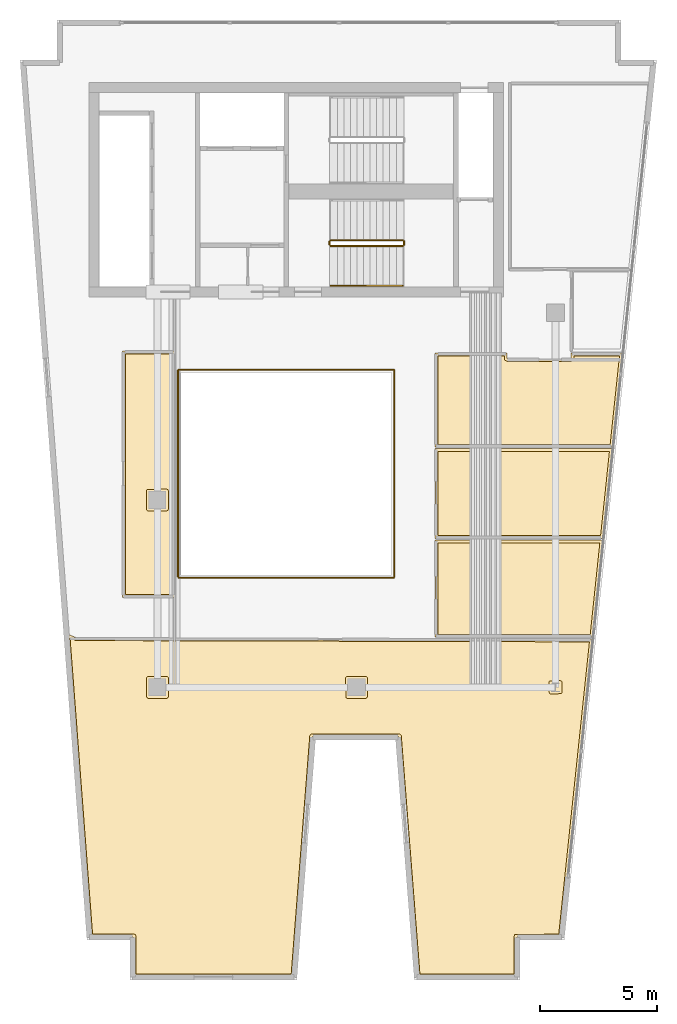
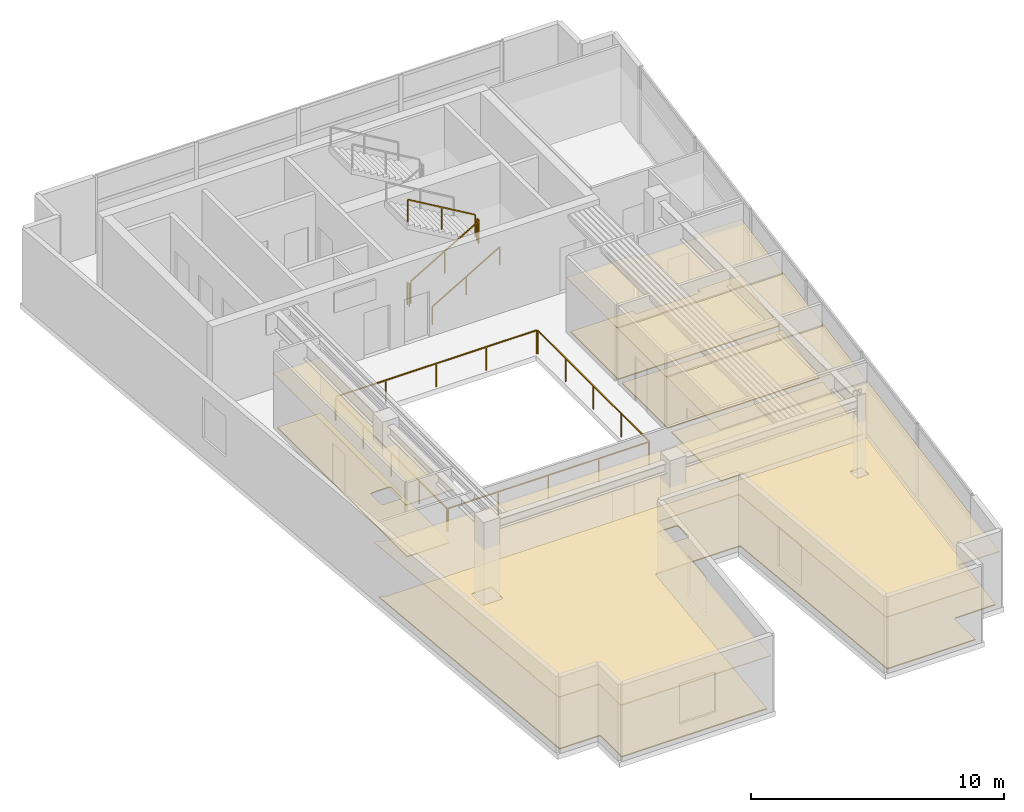
# One storey, part 5 of 6: 10 coverings, 9 railings.
"""IFC4 building model written with IfcOpenShell, lengths in metres."""

from ifc_helpers import new_model, si_unit, direction, frame, origin, origin_2d, place, context, subcontext, project, spatial, polyline, rectangle, outline, extrude, material, layer, layer_set, type_object, element, save


model = new_model("IFC4")

# Units and contexts
model_context = context("Model", 3, precision=1e-05, world=origin(), true_north=direction((0.0, 1.0)))
body_context = subcontext(model_context, "Body", "Model", "MODEL_VIEW")
ifc_project = project(units=[si_unit("LENGTHUNIT", "METRE"), si_unit("AREAUNIT", "SQUARE_METRE"), si_unit("VOLUMEUNIT", "CUBIC_METRE"), si_unit("PLANEANGLEUNIT", "RADIAN"), si_unit("MASSUNIT", "GRAM", prefix="KILO")], contexts=[model_context])

# Site, building, storey
site_placement = place(None, origin())
site = spatial("IfcSite", under=ifc_project, at=site_placement, CompositionType="ELEMENT")
building_placement = place(site_placement, origin())
building = spatial("IfcBuilding", under=site, at=building_placement, Name="Caeloran Harvest Quay", CompositionType="ELEMENT")
storey_placement = place(building_placement, frame((0.0, 0.0, 288.300048828125)))
storey = spatial("IfcBuildingStorey", under=building, at=storey_placement, Name="L69", CompositionType="ELEMENT", Elevation=288.300048828125)

# Coverings
ifc_material_1 = material(Name="Perforated Mineral-Fibre Acoustic Ceiling Tile", Category="ceiling")
ifc_layer_1 = layer(ifc_material_1, 0.0400390625, Name="Perforated Mineral-Fibre Acoustic Ceiling Tile")
ifc_layer_set_1 = layer_set([ifc_layer_1], Name="Perforated Mineral-Fibre Acoustic Ceiling Tile")
covering_type_1 = type_object("IfcCoveringType", Name="COV-CEILING-ACOUSTIC", PredefinedType="CEILING", material=ifc_layer_set_1)
covering_1_placement = place(storey_placement, frame((0.0, 0.0, 2.599853515625)))
element("IfcCovering", 1, at=covering_1_placement, inside=storey, type_object=covering_type_1, Name="L69 Male Washroom WC Acoustic Ceiling", PredefinedType="CEILING", context=body_context, shape_type="SweptSolid", body=[
    extrude(outline(polyline([(23.429931640625, 29.280029296875), (23.43017578125, 29.048095703125), (23.450927734375, 29.030029296875), (26.152099609375, 29.030029296875), (26.169921875, 29.048095703125), (26.169921875, 29.280029296875), (28.365478515625, 29.280029296875), (27.943359375, 25.260009765625), (20.360107421875, 25.260009765625), (20.360107421875, 29.280029296875), (23.429931640625, 29.280029296875)])), origin(), (0.0, 0.0, 1.0), 0.0400390625),
])
covering_2_placement = place(storey_placement, frame((0.0, 0.0, 2.599853515625)))
element("IfcCovering", 2, at=covering_2_placement, inside=storey, type_object=covering_type_1, Name="L69 Female Washroom WC Acoustic Ceiling", PredefinedType="CEILING", context=body_context, shape_type="SweptSolid", body=[
    extrude(outline(polyline([(27.93603515625, 25.18994140625), (27.53369140625, 21.360107421875), (20.360107421875, 21.360107421875), (20.360107421875, 25.18994140625), (27.93603515625, 25.18994140625)])), origin(), (0.0, 0.0, 1.0), 0.0400390625),
])
covering_3_placement = place(storey_placement, frame((0.0, 0.0, 2.599853515625)))
element("IfcCovering", 3, at=covering_3_placement, inside=storey, type_object=covering_type_1, Name="L69 Accessible Unisex Washroom WC Acoustic Ceiling", PredefinedType="CEILING", context=body_context, shape_type="SweptSolid", body=[
    extrude(outline(polyline([(27.5263671875, 21.2900390625), (27.090576171875, 17.139892578125), (20.360107421875, 17.139892578125), (20.360107421875, 21.2900390625), (27.5263671875, 21.2900390625)])), origin(), (0.0, 0.0, 1.0), 0.0400390625),
])
covering_4_placement = place(storey_placement, frame((0.0, 0.0, 2.599853515625)))
element("IfcCovering", 4, at=covering_4_placement, inside=storey, type_object=covering_type_1, Name="Global Agro-Holdings Conference Hall Acoustic Ceiling", PredefinedType="CEILING", context=body_context, shape_type="SweptSolid", body=[
    extrude(outline(polyline([(25.74609375, 4.340087890625), (23.853515625, 4.340087890625), (23.853515625, 2.639892578125), (19.599853515625, 2.639892578125), (18.7998046875, 12.889892578125), (15.1220703125, 12.889892578125), (14.322021484375, 2.639892578125), (7.45849609375, 2.639892578125), (7.45849609375, 4.340087890625), (5.618896484375, 4.340087890625), (4.634521484375, 17.28369140625), (5.057861328125, 17.110107421875), (27.08203125, 17.059814453125), (25.74609375, 4.340087890625)])), origin(), (0.0, 0.0, 1.0), 0.0400390625),
])
covering_5_placement = place(storey_placement, frame((0.0, 0.0, 2.599853515625)))
element("IfcCovering", 5, at=covering_5_placement, inside=storey, type_object=covering_type_1, Name="Treasury Risk Seminar Room Acoustic Ceiling", PredefinedType="CEILING", context=body_context, shape_type="SweptSolid", body=[
    extrude(outline(polyline([(7.010009765625, 18.840087890625), (7.010009765625, 29.360107421875), (9.2099609375, 29.360107421875), (9.2099609375, 18.840087890625), (7.010009765625, 18.840087890625)])), origin(), (0.0, 0.0, 1.0), 0.0400390625),
])
ifc_material_2 = material(Name="Calcium-Sulphate Raised Access Floor and Terrazzo Finish", Category="flooring")
ifc_layer_2 = layer(ifc_material_2, 0.050048828125, Name="Calcium-Sulphate Raised Access Floor and Terrazzo Finish")
ifc_layer_set_2 = layer_set([ifc_layer_2], Name="Calcium-Sulphate Raised Access Floor and Terrazzo Finish")
covering_type_2 = type_object("IfcCoveringType", Name="COV-FLOOR-RAISED", PredefinedType="FLOORING", material=ifc_layer_set_2)
covering_6_placement = place(storey_placement, origin())
element("IfcCovering", 6, at=covering_6_placement, inside=storey, type_object=covering_type_2, Name="L69 Male Washroom WC Raised Finish Flooring", PredefinedType="FLOORING", context=body_context, shape_type="SweptSolid", body=[
    extrude(outline(polyline([(23.31005859375, 29.159912109375), (23.32861328125, 28.980712890625), (23.449951171875, 28.909912109375), (26.159912109375, 28.910400390625), (26.275146484375, 28.987548828125), (26.2900390625, 29.159912109375), (28.232421875, 29.159912109375), (27.835205078125, 25.3798828125), (20.47998046875, 25.3798828125), (20.47998046875, 29.159912109375), (23.31005859375, 29.159912109375)])), origin(), (0.0, 0.0, 1.0), 0.050048828125),
])
covering_7_placement = place(storey_placement, origin())
element("IfcCovering", 7, at=covering_7_placement, inside=storey, type_object=covering_type_2, Name="L69 Female Washroom WC Raised Finish Flooring", PredefinedType="FLOORING", context=body_context, shape_type="SweptSolid", body=[
    extrude(outline(polyline([(27.802734375, 25.070068359375), (27.42578125, 21.47998046875), (20.47998046875, 21.47998046875), (20.47998046875, 25.070068359375), (27.802734375, 25.070068359375)])), origin(), (0.0, 0.0, 1.0), 0.050048828125),
])
covering_8_placement = place(storey_placement, origin())
element("IfcCovering", 8, at=covering_8_placement, inside=storey, type_object=covering_type_2, Name="L69 Accessible Unisex Washroom WC Raised Finish Flooring", PredefinedType="FLOORING", context=body_context, shape_type="SweptSolid", body=[
    extrude(outline(polyline([(27.39306640625, 21.169921875), (26.982421875, 17.260009765625), (20.47998046875, 17.260009765625), (20.47998046875, 21.169921875), (27.39306640625, 21.169921875)])), origin(), (0.0, 0.0, 1.0), 0.050048828125),
])
covering_9_placement = place(storey_placement, origin())
element("IfcCovering", 9, at=covering_9_placement, inside=storey, type_object=covering_type_2, Name="Global Agro-Holdings Conference Hall Raised Finish Flooring", PredefinedType="FLOORING", context=body_context, shape_type="SweptSolid", body=[
    extrude(outline(polyline([(5.01953125, 16.99609375), (26.94873046875, 16.940185546875), (25.637939453125, 4.4599609375), (23.7626953125, 4.44189453125), (23.7333984375, 4.3798828125), (23.7333984375, 2.760009765625), (19.710693359375, 2.760009765625), (18.9111328125, 12.95947265625), (18.836669921875, 13.010009765625), (15.0771484375, 13.009521484375), (15.005126953125, 12.936279296875), (14.2109375, 2.760009765625), (7.57861328125, 2.760009765625), (7.57861328125, 4.3798828125), (7.55517578125, 4.4365234375), (7.49853515625, 4.4599609375), (5.730224609375, 4.4599609375), (4.768798828125, 17.098876953125), (5.01953125, 16.99609375)]), holes=[polyline([(25.21630859375, 15.21630859375), (25.234130859375, 14.74072265625), (25.2880859375, 14.7119140625), (25.7548828125, 14.729736328125), (25.783935546875, 14.79150390625), (25.765869140625, 15.25927734375), (25.7041015625, 15.28857421875), (25.2451171875, 15.270263671875), (25.21630859375, 15.21630859375)]), polyline([(16.530029296875, 15.389892578125), (16.548095703125, 14.55908203125), (16.602294921875, 14.530517578125), (17.389892578125, 14.530029296875), (17.446533203125, 14.553466796875), (17.469970703125, 14.610107421875), (17.469970703125, 15.389892578125), (17.446533203125, 15.446533203125), (17.389892578125, 15.469970703125), (16.610107421875, 15.469970703125), (16.553466796875, 15.446533203125), (16.530029296875, 15.389892578125)]), polyline([(8.030029296875, 14.610107421875), (8.053466796875, 14.553466796875), (8.102294921875, 14.530517578125), (8.889892578125, 14.530029296875), (8.946533203125, 14.553466796875), (8.969970703125, 14.610107421875), (8.969970703125, 15.389892578125), (8.946533203125, 15.446533203125), (8.889892578125, 15.469970703125), (8.110107421875, 15.469970703125), (8.053466796875, 15.446533203125), (8.030029296875, 15.389892578125), (8.030029296875, 14.610107421875)])]), origin(), (0.0, 0.0, 1.0), 0.050048828125),
])
covering_10_placement = place(storey_placement, origin())
element("IfcCovering", 10, at=covering_10_placement, inside=storey, type_object=covering_type_2, Name="Treasury Risk Seminar Room Raised Finish Flooring", PredefinedType="FLOORING", context=body_context, shape_type="SweptSolid", body=[
    extrude(outline(polyline([(9.090087890625, 18.9599609375), (7.1298828125, 18.9599609375), (7.1298828125, 29.239990234375), (9.090087890625, 29.239990234375), (9.090087890625, 18.9599609375)]), holes=[polyline([(8.889892578125, 23.469970703125), (8.05908203125, 23.451904296875), (8.030517578125, 23.397705078125), (8.030029296875, 22.610107421875), (8.053466796875, 22.553466796875), (8.110107421875, 22.530029296875), (8.889892578125, 22.530029296875), (8.946533203125, 22.553466796875), (8.969970703125, 22.610107421875), (8.969970703125, 23.389892578125), (8.946533203125, 23.446533203125), (8.889892578125, 23.469970703125)])]), origin(), (0.0, 0.0, 1.0), 0.050048828125),
])

# Railings
ifc_material_3 = material(Name="Powder-Coated Steel Post and Laminated Glass Guardrail", Category="steel")
ifc_layer_3 = layer(ifc_material_3, 0.06005859375, Name="Powder-Coated Steel Post and Laminated Glass Guardrail")
ifc_layer_set_3 = layer_set([ifc_layer_3], Name="Powder-Coated Steel Post and Laminated Glass Guardrail")
railing_type_1 = type_object("IfcRailingType", Name="GUARD-ATRIUM-1150", PredefinedType="GUARDRAIL", material=ifc_layer_set_3)
railing_1_placement = place(storey_placement, frame((9.412109375, 19.679931640625, 0.0)))
element("IfcRailing", 11, at=railing_1_placement, inside=storey, type_object=railing_type_1, Name="L69 Skylit Atrium Void Perimeter Guardrail Seg 1", PredefinedType="GUARDRAIL", context=body_context, shape_type="SweptSolid", body=[
    extrude(rectangle(XDim=0.048095703125, YDim=0.048095703125, at=origin_2d()), frame((0.0, 0.0, 1.1259765625), z_axis=(1.0, 0.0, 0.0), x_axis=(0.0, 1.0, 0.0)), (0.0, 0.0, 1.0), 9.17578125),
    extrude(rectangle(XDim=0.0419921875, YDim=0.0419921875, at=origin_2d()), origin(), (0.0, 0.0, 1.0), 1.101806640625),
    extrude(rectangle(XDim=0.0419921875, YDim=0.0419921875, at=origin_2d()), frame((2.2939453125, 0.0, 0.0)), (0.0, 0.0, 1.0), 1.101806640625),
    extrude(rectangle(XDim=0.0419921875, YDim=0.0419921875, at=origin_2d()), frame((4.587890625, 0.0, 0.0)), (0.0, 0.0, 1.0), 1.101806640625),
    extrude(rectangle(XDim=0.0419921875, YDim=0.0419921875, at=origin_2d()), frame((6.8818359375, 0.0, 0.0)), (0.0, 0.0, 1.0), 1.101806640625),
    extrude(rectangle(XDim=0.0419921875, YDim=0.0419921875, at=origin_2d()), frame((9.17578125, 0.0, 0.0)), (0.0, 0.0, 1.0), 1.101806640625),
])
railing_2_placement = place(storey_placement, frame((18.6201171875, 19.7119140625, 0.0)))
element("IfcRailing", 12, at=railing_2_placement, inside=storey, type_object=railing_type_1, Name="L69 Skylit Atrium Void Perimeter Guardrail Seg 2", PredefinedType="GUARDRAIL", context=body_context, shape_type="SweptSolid", body=[
    extrude(rectangle(XDim=0.048095703125, YDim=0.048095703125, at=origin_2d()), frame((0.0, 0.0, 1.1259765625), z_axis=(0.0, 1.0, 0.0), x_axis=(-1.0, 0.0, 0.0)), (0.0, 0.0, 1.0), 8.826171875),
    extrude(rectangle(XDim=0.0419921875, YDim=0.0419921875, at=origin_2d()), origin(), (0.0, 0.0, 1.0), 1.101806640625),
    extrude(rectangle(XDim=0.0419921875, YDim=0.0419921875, at=origin_2d()), frame((0.0, 2.20654296875, 0.0)), (0.0, 0.0, 1.0), 1.101806640625),
    extrude(rectangle(XDim=0.0419921875, YDim=0.0419921875, at=origin_2d()), frame((0.0, 4.4130859375, 0.0)), (0.0, 0.0, 1.0), 1.101806640625),
    extrude(rectangle(XDim=0.0419921875, YDim=0.0419921875, at=origin_2d()), frame((0.0, 6.61962890625, 0.0)), (0.0, 0.0, 1.0), 1.101806640625),
    extrude(rectangle(XDim=0.0419921875, YDim=0.0419921875, at=origin_2d()), frame((0.0, 8.826171875, 0.0)), (0.0, 0.0, 1.0), 1.101806640625),
])
railing_3_placement = place(storey_placement, frame((18.587890625, 28.570068359375, 0.0)))
element("IfcRailing", 13, at=railing_3_placement, inside=storey, type_object=railing_type_1, Name="L69 Skylit Atrium Void Perimeter Guardrail Seg 3", PredefinedType="GUARDRAIL", context=body_context, shape_type="SweptSolid", body=[
    extrude(rectangle(XDim=0.048095703125, YDim=0.048095703125, at=origin_2d()), frame((0.0, 0.0, 1.1259765625), z_axis=(-1.0, 0.0, 0.0), x_axis=(0.0, -1.0, 0.0)), (0.0, 0.0, 1.0), 9.17578125),
    extrude(rectangle(XDim=0.0419921875, YDim=0.0419921875, at=origin_2d()), origin(), (0.0, 0.0, 1.0), 1.101806640625),
    extrude(rectangle(XDim=0.0419921875, YDim=0.0419921875, at=origin_2d()), frame((-2.2939453125, 0.0, 0.0)), (0.0, 0.0, 1.0), 1.101806640625),
    extrude(rectangle(XDim=0.0419921875, YDim=0.0419921875, at=origin_2d()), frame((-4.587890625, 0.0, 0.0)), (0.0, 0.0, 1.0), 1.101806640625),
    extrude(rectangle(XDim=0.0419921875, YDim=0.0419921875, at=origin_2d()), frame((-6.8818359375, 0.0, 0.0)), (0.0, 0.0, 1.0), 1.101806640625),
    extrude(rectangle(XDim=0.0419921875, YDim=0.0419921875, at=origin_2d()), frame((-9.17578125, 0.0, 0.0)), (0.0, 0.0, 1.0), 1.101806640625),
])
railing_4_placement = place(storey_placement, frame((9.3798828125, 28.5380859375, 0.0)))
element("IfcRailing", 14, at=railing_4_placement, inside=storey, type_object=railing_type_1, Name="L69 Skylit Atrium Void Perimeter Guardrail Seg 4", PredefinedType="GUARDRAIL", context=body_context, shape_type="SweptSolid", body=[
    extrude(rectangle(XDim=0.048095703125, YDim=0.048095703125, at=origin_2d()), frame((0.0, 0.0, 1.1259765625), z_axis=(0.0, -1.0, 0.0), x_axis=(1.0, 0.0, 0.0)), (0.0, 0.0, 1.0), 8.826171875),
    extrude(rectangle(XDim=0.0419921875, YDim=0.0419921875, at=origin_2d()), origin(), (0.0, 0.0, 1.0), 1.101806640625),
    extrude(rectangle(XDim=0.0419921875, YDim=0.0419921875, at=origin_2d()), frame((0.0, -2.20654296875, 0.0)), (0.0, 0.0, 1.0), 1.101806640625),
    extrude(rectangle(XDim=0.0419921875, YDim=0.0419921875, at=origin_2d()), frame((0.0, -4.4130859375, 0.0)), (0.0, 0.0, 1.0), 1.101806640625),
    extrude(rectangle(XDim=0.0419921875, YDim=0.0419921875, at=origin_2d()), frame((0.0, -6.61962890625, 0.0)), (0.0, 0.0, 1.0), 1.101806640625),
    extrude(rectangle(XDim=0.0419921875, YDim=0.0419921875, at=origin_2d()), frame((0.0, -8.826171875, 0.0)), (0.0, 0.0, 1.0), 1.101806640625),
])
ifc_material_4 = material(Name="Painted Steel Baluster and Top-Rail Stair Guard", Category="steel")
ifc_layer_4 = layer(ifc_material_4, 0.050048828125, Name="Painted Steel Baluster and Top-Rail Stair Guard")
ifc_layer_set_4 = layer_set([ifc_layer_4], Name="Painted Steel Baluster and Top-Rail Stair Guard")
railing_type_2 = type_object("IfcRailingType", Name="STAIR-GUARD-1100", PredefinedType="GUARDRAIL", material=ifc_layer_set_4)
railing_5_placement = place(storey_placement, frame((15.89990234375, 33.85009765625, 0.16455078125)))
element("IfcRailing", 15, at=railing_5_placement, inside=storey, type_object=railing_type_2, Name="L69 ST-C2 stair guard 1", PredefinedType="GUARDRAIL", context=body_context, shape_type="SweptSolid", body=[
    extrude(rectangle(XDim=0.048095703125, YDim=0.048095703125, at=origin_2d()), frame((0.0, 0.0, 1.076171875), z_axis=(0.862118610829, 0.0, 0.506706523406), x_axis=(0.0, 1.0, 0.0)), (0.0, 0.0, 1.0), 3.57275390625),
    extrude(rectangle(XDim=0.0419921875, YDim=0.0419921875, at=origin_2d()), origin(), (0.0, 0.0, 1.0), 1.052001953125),
    extrude(rectangle(XDim=0.0419921875, YDim=0.0419921875, at=origin_2d()), frame((1.5400390625, 0.0, 0.9052734375)), (0.0, 0.0, 1.0), 1.052001953125),
    extrude(rectangle(XDim=0.0419921875, YDim=0.0419921875, at=origin_2d()), frame((3.080078125, 0.0, 1.810302734375)), (0.0, 0.0, 1.0), 1.052001953125),
])
railing_6_placement = place(storey_placement, frame((19.030029296875, 33.89990234375, 1.974853515625)))
element("IfcRailing", 16, at=railing_6_placement, inside=storey, type_object=railing_type_2, Name="L69 ST-C2 stair guard 2", PredefinedType="GUARDRAIL", context=body_context, shape_type="SweptSolid", body=[
    extrude(rectangle(XDim=0.048095703125, YDim=0.048095703125, at=origin_2d()), frame((0.0, 0.0, 1.076171875), z_axis=(0.0, 1.0, 0.0), x_axis=(-1.0, 0.0, 0.0)), (0.0, 0.0, 1.0), 0.150146484375),
    extrude(rectangle(XDim=0.0419921875, YDim=0.0419921875, at=origin_2d()), origin(), (0.0, 0.0, 1.0), 1.052001953125),
    extrude(rectangle(XDim=0.0419921875, YDim=0.0419921875, at=origin_2d()), frame((0.0, 0.150146484375, 0.0)), (0.0, 0.0, 1.0), 1.052001953125),
])
railing_7_placement = place(storey_placement, frame((18.97998046875, 34.10009765625, 2.1396484375)))
element("IfcRailing", 17, at=railing_7_placement, inside=storey, type_object=railing_type_2, Name="L69 ST-C2 stair guard 3", PredefinedType="GUARDRAIL", context=body_context, shape_type="SweptSolid", body=[
    extrude(rectangle(XDim=0.048095703125, YDim=0.048095703125, at=origin_2d()), frame((0.0, 0.0, 1.076171875), z_axis=(-0.862118610829, 0.0, 0.506706523406), x_axis=(0.0, -1.0, 0.0)), (0.0, 0.0, 1.0), 3.57275390625),
    extrude(rectangle(XDim=0.0419921875, YDim=0.0419921875, at=origin_2d()), origin(), (0.0, 0.0, 1.0), 1.052001953125),
    extrude(rectangle(XDim=0.0419921875, YDim=0.0419921875, at=origin_2d()), frame((-1.5400390625, 0.0, 0.9052734375)), (0.0, 0.0, 1.0), 1.052001953125),
    extrude(rectangle(XDim=0.0419921875, YDim=0.0419921875, at=origin_2d()), frame((-3.080078125, 0.0, 1.810302734375)), (0.0, 0.0, 1.0), 1.052001953125),
])
railing_8_placement = place(storey_placement, frame((15.85009765625, 33.89990234375, 0.0)))
element("IfcRailing", 18, at=railing_8_placement, inside=storey, type_object=railing_type_2, Name="L69 ST-C2 stair guard 4", PredefinedType="GUARDRAIL", context=body_context, shape_type="SweptSolid", body=[
    extrude(rectangle(XDim=0.048095703125, YDim=0.048095703125, at=origin_2d()), frame((0.0, 0.0, 1.076171875), z_axis=(0.0, 1.0, 0.0), x_axis=(-1.0, 0.0, 0.0)), (0.0, 0.0, 1.0), 0.150146484375),
    extrude(rectangle(XDim=0.0419921875, YDim=0.0419921875, at=origin_2d()), origin(), (0.0, 0.0, 1.0), 1.052001953125),
    extrude(rectangle(XDim=0.0419921875, YDim=0.0419921875, at=origin_2d()), frame((0.0, 0.150146484375, 0.0)), (0.0, 0.0, 1.0), 1.052001953125),
])
ifc_material_5 = material(Name="Brushed Stainless Steel Grade 304", Category="steel")
ifc_layer_5 = layer(ifc_material_5, 0.050048828125, Name="Brushed Stainless Steel Grade 304")
ifc_layer_set_5 = layer_set([ifc_layer_5], Name="Brushed Stainless Steel Grade 304")
railing_type_3 = type_object("IfcRailingType", Name="STAIR-HANDRAIL-900", PredefinedType="HANDRAIL", material=ifc_layer_set_5)
railing_9_placement = place(storey_placement, frame((15.89990234375, 32.14990234375, 0.16455078125)))
element("IfcRailing", 19, at=railing_9_placement, inside=storey, type_object=railing_type_3, Name="L69 ST-C2 stair handrail 1", PredefinedType="HANDRAIL", context=body_context, shape_type="SweptSolid", body=[
    extrude(rectangle(XDim=0.048095703125, YDim=0.048095703125, at=origin_2d()), frame((0.0, 0.0, 0.8759765625), z_axis=(0.862118610829, 0.0, 0.506706523406), x_axis=(0.0, 1.0, 0.0)), (0.0, 0.0, 1.0), 3.57275390625),
    extrude(rectangle(XDim=0.0419921875, YDim=0.0419921875, at=origin_2d()), origin(), (0.0, 0.0, 1.0), 0.851806640625),
    extrude(rectangle(XDim=0.0419921875, YDim=0.0419921875, at=origin_2d()), frame((1.5400390625, 0.0, 0.9052734375)), (0.0, 0.0, 1.0), 0.851806640625),
    extrude(rectangle(XDim=0.0419921875, YDim=0.0419921875, at=origin_2d()), frame((3.080078125, 0.0, 1.810302734375)), (0.0, 0.0, 1.0), 0.851806640625),
])

save(model, "model.ifc")
